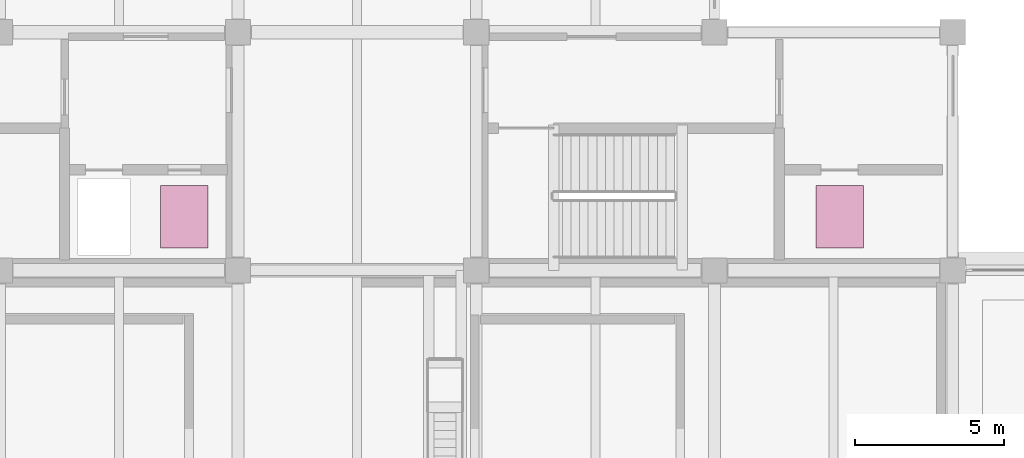
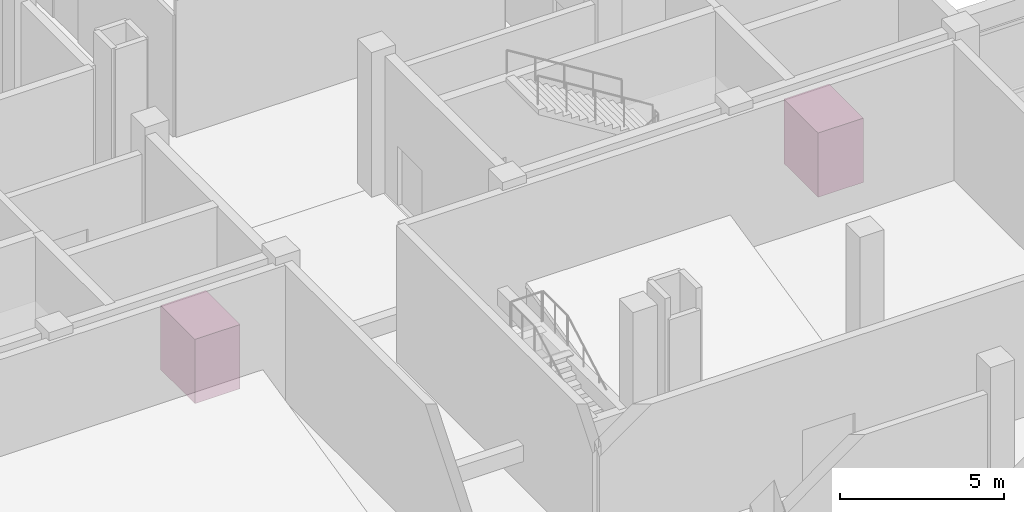
# One storey, part 40 of 40: 2 transport elements.
"""IFC4 building model written with IfcOpenShell, lengths in metres."""

from ifc_helpers import new_model, si_unit, direction, frame, origin, origin_2d, place, context, subcontext, project, spatial, rectangle, extrude, material, type_object, element, save


model = new_model("IFC4")

# Units and contexts
model_context = context("Model", 3, precision=1e-05, world=origin(), true_north=direction((0.0, 1.0)))
body_context = subcontext(model_context, "Body", "Model", "MODEL_VIEW")
ifc_project = project(units=[si_unit("LENGTHUNIT", "METRE"), si_unit("AREAUNIT", "SQUARE_METRE"), si_unit("VOLUMEUNIT", "CUBIC_METRE"), si_unit("PLANEANGLEUNIT", "RADIAN"), si_unit("MASSUNIT", "GRAM", prefix="KILO")], contexts=[model_context])

# Site, building, storey
site_placement = place(None, origin())
site = spatial("IfcSite", under=ifc_project, at=site_placement, CompositionType="ELEMENT")
building_placement = place(site_placement, origin())
building = spatial("IfcBuilding", under=site, at=building_placement, Name="Qorikala Patio Media Centre", CompositionType="ELEMENT")
storey_placement = place(building_placement, origin())
storey = spatial("IfcBuildingStorey", under=building, at=storey_placement, Name="L00", CompositionType="ELEMENT", Elevation=0.0)

# Transport elements
ifc_material = material(Name="Brushed Bronze Stainless Steel", Category="steel")
transport_element_type = type_object("IfcTransportElementType", Name="LIFT-PAX", PredefinedType="ELEVATOR", material=ifc_material)
for number, where, z_axis, x_axis, name in (
    (1, (17.199951171875, 28.800048828125, 0.0), (0.0, 0.0, 1.0), (1.0, 0.0, 0.0), "Elevator Car LP-04"),
    (2, (39.199951171875, 28.800048828125, 0.0), (0.0, 0.0, 1.0), (1.0, 0.0, 0.0), "Elevator Car LP-03"),
):
    element("IfcTransportElement", number, at=place(storey_placement, frame(where, z_axis=z_axis, x_axis=x_axis)), inside=storey, type_object=transport_element_type, Name=name, PredefinedType="ELEVATOR", context=body_context, shape_type="SweptSolid", body=[
        extrude(rectangle(XDim=1.60009765625, YDim=2.10009765625, at=origin_2d()), origin(), (0.0, 0.0, 1.0), 2.39990234375),
    ])

save(model, "model.ifc")
